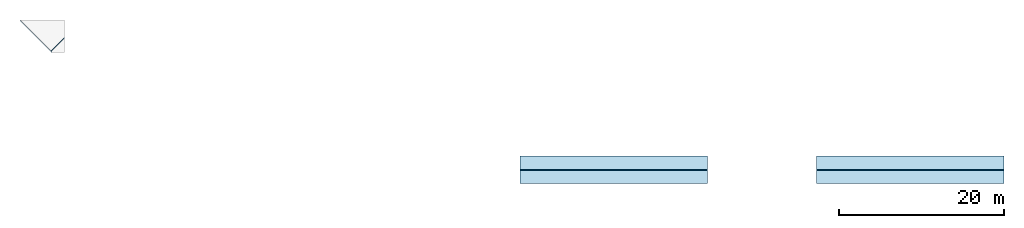
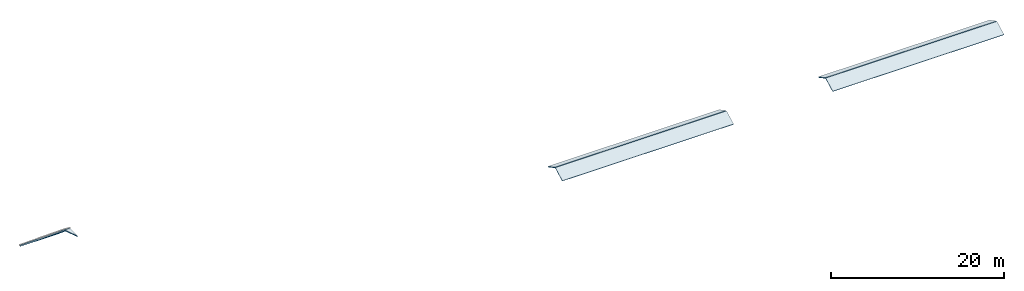
# One storey, part 1 of 2: 6 slabs.
"""IFC4 building model written with IfcOpenShell, lengths in metres."""

from ifc_helpers import new_model, si_unit, direction, frame, origin, place, context, subcontext, project, spatial, polyline, outline, extrude, material, layer, layer_set, type_object, element, save


model = new_model("IFC4")

# Units and contexts
model_context = context("Model", 3, precision=1e-05, world=origin(), true_north=direction((0.0, 1.0)))
body_context = subcontext(model_context, "Body", "Model", "MODEL_VIEW")
ifc_project = project(units=[si_unit("LENGTHUNIT", "METRE"), si_unit("AREAUNIT", "SQUARE_METRE"), si_unit("VOLUMEUNIT", "CUBIC_METRE"), si_unit("PLANEANGLEUNIT", "RADIAN"), si_unit("MASSUNIT", "GRAM", prefix="KILO")], contexts=[model_context])

# Site, building, storey
site_placement = place(None, origin())
site = spatial("IfcSite", under=ifc_project, at=site_placement, CompositionType="ELEMENT")
building_placement = place(site_placement, origin())
building = spatial("IfcBuilding", under=site, at=building_placement, Name="Mazhai Court Health Centre", CompositionType="ELEMENT")
storey_placement = place(building_placement, frame((0.0, 0.0, 22.449951171875)))
storey = spatial("IfcBuildingStorey", under=building, at=storey_placement, Name="ROOF", CompositionType="ELEMENT", Elevation=22.449951171875)

# Slabs
ifc_material = material(Name="CLT C24 3-ply", Category="wood")
ifc_layer = layer(ifc_material, 0.10009765625)
ifc_layer_set = layer_set([ifc_layer], Name="CLT C24 3-ply roof panel 100")
slab_type = type_object("IfcSlabType", Name="CLT C24 3-ply roof panel 100", PredefinedType="ROOF", material=ifc_layer_set)
slab_1_placement = place(storey_placement, frame((13.464599609375, 35.0, 3.358642578125), z_axis=(0.644980908312, 0.0, 0.764198683533), x_axis=(0.607161844993, 0.607253895, -0.512442387974)))
element("IfcSlab", 1, at=slab_1_placement, inside=storey, type_object=slab_type, Name="Roof slab RV2-RS2", PredefinedType="ROOF", context=body_context, shape_type="SweptSolid", body=[
    extrude(outline(polyline([(0.0, 0.0), (2.6522608029144363, 0.0), (1.5983135520469212, -1.3789443923141973), (-0.07590673687497083, -0.0993134799359782), (0.0, 0.0)])), origin(), (0.0, 0.0, -1.0), 0.10009765625),
])
slab_2_placement = place(storey_placement, frame((9.654541015625, 38.81005859375, 0.197509765625), z_axis=(-1.1589308e-05, 0.64496670847, 0.764210667834), x_axis=(0.999999999933, 7.474718e-06, 8.856673e-06)))
element("IfcSlab", 2, at=slab_2_placement, inside=storey, type_object=slab_type, Name="Roof slab RV2-RS4", PredefinedType="ROOF", context=body_context, shape_type="SweptSolid", body=[
    extrude(outline(polyline([(0.0, 0.0), (5.420410155885986, -4.59126598997558e-21), (5.420410156614013, -2.709458587371204), (3.7453613276484967, -4.901257082159353), (0.0, 0.0)])), origin(), (0.0, 0.0, -1.0), 0.10009765625),
])
for number, where, z_axis, x_axis, name in (
    (3, (70.39990234375, 20.552978515625, 0.951171875), (0.0, -0.469529524831, 0.882916771453), (1.0, 0.0, 0.0), "Roof slab RV4W-RS1"),
    (4, (93.199951171875, 20.64697265625, 0.951171875), (0.0, 0.469529524831, 0.882916771453), (-1.0, 0.0, 0.0), "Roof slab RV4W-RS2"),
    (5, (129.199951171875, 20.64697265625, 0.951171875), (0.0, 0.469529524831, 0.882916771453), (-1.0, 0.0, 0.0), "Roof slab RV4E-RS2"),
    (6, (106.39990234375, 20.552978515625, 0.951171875), (0.0, -0.469529524831, 0.882916771453), (1.0, 0.0, 0.0), "Roof slab RV4E-RS1"),
):
    element("IfcSlab", number, at=place(storey_placement, frame(where, z_axis=z_axis, x_axis=x_axis)), inside=storey, type_object=slab_type, Name=name, PredefinedType="ROOF", context=body_context, shape_type="SweptSolid", body=[
        extrude(outline(polyline([(0.0, 0.0), (22.800048828125, 0.0), (22.800048828125, -1.84380877126355), (0.0, -1.84380877126355), (0.0, 0.0)])), origin(), (0.0, 0.0, -1.0), 0.10009765625),
    ])

save(model, "model.ifc")
